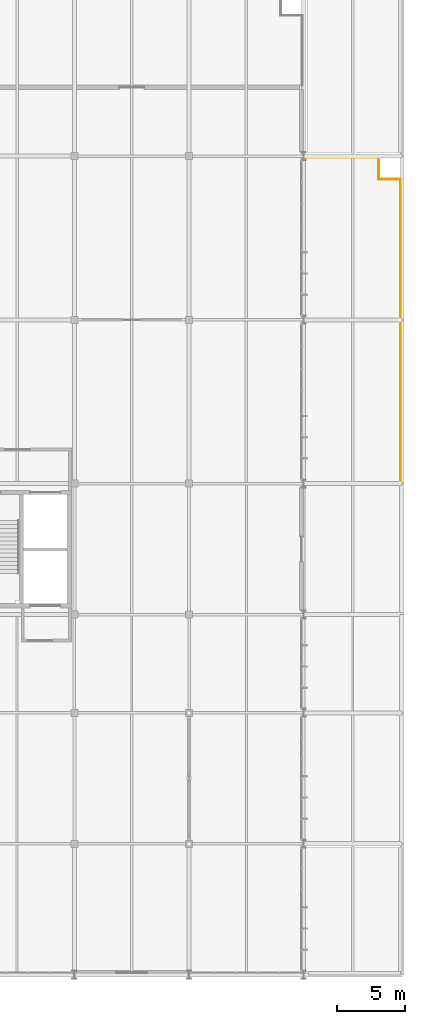
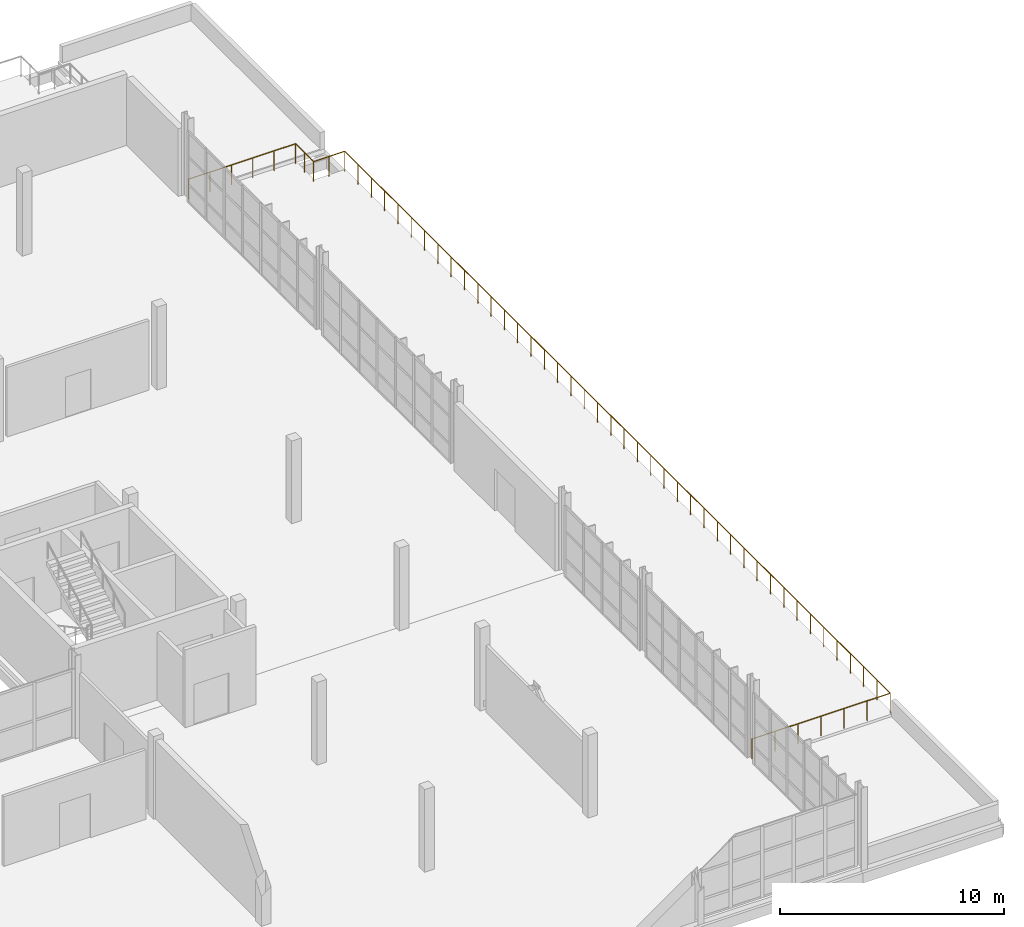
# One storey, part 108 of 109: 1 railing.
"""IFC4 building model written with IfcOpenShell, lengths in metres."""

from ifc_helpers import new_model, si_unit, direction, frame, origin, origin_2d, place, context, subcontext, project, spatial, circle, extrude, material, type_object, element, save


model = new_model("IFC4")

# Units and contexts
model_context = context("Model", 3, precision=1e-05, world=origin(), true_north=direction((0.0, 1.0)))
body_context = subcontext(model_context, "Body", "Model", "MODEL_VIEW")
ifc_project = project(units=[si_unit("LENGTHUNIT", "METRE"), si_unit("AREAUNIT", "SQUARE_METRE"), si_unit("VOLUMEUNIT", "CUBIC_METRE"), si_unit("PLANEANGLEUNIT", "RADIAN"), si_unit("MASSUNIT", "GRAM", prefix="KILO")], contexts=[model_context])

# Site, building, storey
site_placement = place(None, origin())
site = spatial("IfcSite", under=ifc_project, at=site_placement, CompositionType="ELEMENT")
building_placement = place(site_placement, origin())
building = spatial("IfcBuilding", under=site, at=building_placement, Name="Veltarok Museum of Natural Sciences", CompositionType="ELEMENT")
storey_placement = place(building_placement, frame((0.0, 0.0, 17.39990234375)))
storey = spatial("IfcBuildingStorey", under=building, at=storey_placement, Name="L03", CompositionType="ELEMENT", Elevation=17.39990234375)

# Railing
ifc_material = material(Name="Steel S355J2", Category="steel")
railing_type = type_object("IfcRailingType", Name="Outdoor Terrace Steel and Laminated Glass Guardrail 1100", PredefinedType="GUARDRAIL", material=ifc_material)
railing_placement = place(storey_placement, frame((157.580078125, 9.699951171875, 0.0)))
element("IfcRailing", 1, at=railing_placement, inside=storey, type_object=railing_type, Name="Terrace Guardrail TER-L03-E2", PredefinedType="GUARDRAIL", context=body_context, shape_type="SweptSolid", body=[
    extrude(circle(Radius=0.02490234375, at=origin_2d()), frame((0.0, 0.0, 1.0751953125), z_axis=(1.0, 0.0, 0.0), x_axis=(0.0, 1.0, 0.0)), (0.0, 0.0, 1.0), 7.119873046875),
    extrude(circle(Radius=0.02490234375, at=origin_2d()), frame((7.119873046875, 0.0, 1.0751953125), z_axis=(0.0, 1.0, 0.0), x_axis=(-1.0, 0.0, 0.0)), (0.0, 0.0, 1.0), 48.60009765625),
    extrude(circle(Radius=0.02490234375, at=origin_2d()), frame((7.119873046875, 48.60009765625, 1.0751953125), z_axis=(-1.0, 0.0, 0.0), x_axis=(0.0, -1.0, 0.0)), (0.0, 0.0, 1.0), 1.599853515625),
    extrude(circle(Radius=0.02490234375, at=origin_2d()), frame((5.52001953125, 48.60009765625, 1.0751953125), z_axis=(0.0, 1.0, 0.0), x_axis=(-1.0, 0.0, 0.0)), (0.0, 0.0, 1.0), 1.599853515625),
    extrude(circle(Radius=0.02490234375, at=origin_2d()), frame((5.52001953125, 50.199951171875, 1.0751953125), z_axis=(-1.0, 0.0, 0.0), x_axis=(0.0, -1.0, 0.0)), (0.0, 0.0, 1.0), 5.52001953125),
    extrude(circle(Radius=0.02099609375, at=origin_2d()), origin(), (0.0, 0.0, 1.0), 1.050048828125),
    extrude(circle(Radius=0.02099609375, at=origin_2d()), frame((1.1865234375, 0.0, 0.0)), (0.0, 0.0, 1.0), 1.050048828125),
    extrude(circle(Radius=0.02099609375, at=origin_2d()), frame((2.373291015625, 0.0, 0.0)), (0.0, 0.0, 1.0), 1.050048828125),
    extrude(circle(Radius=0.02099609375, at=origin_2d()), frame((3.56005859375, 0.0, 0.0)), (0.0, 0.0, 1.0), 1.050048828125),
    extrude(circle(Radius=0.02099609375, at=origin_2d()), frame((4.74658203125, 0.0, 0.0)), (0.0, 0.0, 1.0), 1.050048828125),
    extrude(circle(Radius=0.02099609375, at=origin_2d()), frame((5.93310546875, 0.0, 0.0)), (0.0, 0.0, 1.0), 1.050048828125),
    extrude(circle(Radius=0.02099609375, at=origin_2d()), frame((7.119873046875, 0.0, 0.0)), (0.0, 0.0, 1.0), 1.050048828125),
    extrude(circle(Radius=0.02099609375, at=origin_2d()), frame((7.119873046875, 1.185302734375, 0.0)), (0.0, 0.0, 1.0), 1.050048828125),
    extrude(circle(Radius=0.02099609375, at=origin_2d()), frame((7.119873046875, 2.370849609375, 0.0)), (0.0, 0.0, 1.0), 1.050048828125),
    extrude(circle(Radius=0.02099609375, at=origin_2d()), frame((7.119873046875, 3.55615234375, 0.0)), (0.0, 0.0, 1.0), 1.050048828125),
    extrude(circle(Radius=0.02099609375, at=origin_2d()), frame((7.119873046875, 4.741455078125, 0.0)), (0.0, 0.0, 1.0), 1.050048828125),
    extrude(circle(Radius=0.02099609375, at=origin_2d()), frame((7.119873046875, 5.9267578125, 0.0)), (0.0, 0.0, 1.0), 1.050048828125),
    extrude(circle(Radius=0.02099609375, at=origin_2d()), frame((7.119873046875, 7.1123046875, 0.0)), (0.0, 0.0, 1.0), 1.050048828125),
    extrude(circle(Radius=0.02099609375, at=origin_2d()), frame((7.119873046875, 8.297607421875, 0.0)), (0.0, 0.0, 1.0), 1.050048828125),
    extrude(circle(Radius=0.02099609375, at=origin_2d()), frame((7.119873046875, 9.48291015625, 0.0)), (0.0, 0.0, 1.0), 1.050048828125),
    extrude(circle(Radius=0.02099609375, at=origin_2d()), frame((7.119873046875, 10.668212890625, 0.0)), (0.0, 0.0, 1.0), 1.050048828125),
    extrude(circle(Radius=0.02099609375, at=origin_2d()), frame((7.119873046875, 11.853759765625, 0.0)), (0.0, 0.0, 1.0), 1.050048828125),
    extrude(circle(Radius=0.02099609375, at=origin_2d()), frame((7.119873046875, 13.0390625, 0.0)), (0.0, 0.0, 1.0), 1.050048828125),
    extrude(circle(Radius=0.02099609375, at=origin_2d()), frame((7.119873046875, 14.224365234375, 0.0)), (0.0, 0.0, 1.0), 1.050048828125),
    extrude(circle(Radius=0.02099609375, at=origin_2d()), frame((7.119873046875, 15.40966796875, 0.0)), (0.0, 0.0, 1.0), 1.050048828125),
    extrude(circle(Radius=0.02099609375, at=origin_2d()), frame((7.119873046875, 16.59521484375, 0.0)), (0.0, 0.0, 1.0), 1.050048828125),
    extrude(circle(Radius=0.02099609375, at=origin_2d()), frame((7.119873046875, 17.780517578125, 0.0)), (0.0, 0.0, 1.0), 1.050048828125),
    extrude(circle(Radius=0.02099609375, at=origin_2d()), frame((7.119873046875, 18.9658203125, 0.0)), (0.0, 0.0, 1.0), 1.050048828125),
    extrude(circle(Radius=0.02099609375, at=origin_2d()), frame((7.119873046875, 20.1513671875, 0.0)), (0.0, 0.0, 1.0), 1.050048828125),
    extrude(circle(Radius=0.02099609375, at=origin_2d()), frame((7.119873046875, 21.336669921875, 0.0)), (0.0, 0.0, 1.0), 1.050048828125),
    extrude(circle(Radius=0.02099609375, at=origin_2d()), frame((7.119873046875, 22.52197265625, 0.0)), (0.0, 0.0, 1.0), 1.050048828125),
    extrude(circle(Radius=0.02099609375, at=origin_2d()), frame((7.119873046875, 23.707275390625, 0.0)), (0.0, 0.0, 1.0), 1.050048828125),
    extrude(circle(Radius=0.02099609375, at=origin_2d()), frame((7.119873046875, 24.892822265625, 0.0)), (0.0, 0.0, 1.0), 1.050048828125),
    extrude(circle(Radius=0.02099609375, at=origin_2d()), frame((7.119873046875, 26.078125, 0.0)), (0.0, 0.0, 1.0), 1.050048828125),
    extrude(circle(Radius=0.02099609375, at=origin_2d()), frame((7.119873046875, 27.263427734375, 0.0)), (0.0, 0.0, 1.0), 1.050048828125),
    extrude(circle(Radius=0.02099609375, at=origin_2d()), frame((7.119873046875, 28.44873046875, 0.0)), (0.0, 0.0, 1.0), 1.050048828125),
    extrude(circle(Radius=0.02099609375, at=origin_2d()), frame((7.119873046875, 29.63427734375, 0.0)), (0.0, 0.0, 1.0), 1.050048828125),
    extrude(circle(Radius=0.02099609375, at=origin_2d()), frame((7.119873046875, 30.819580078125, 0.0)), (0.0, 0.0, 1.0), 1.050048828125),
    extrude(circle(Radius=0.02099609375, at=origin_2d()), frame((7.119873046875, 32.0048828125, 0.0)), (0.0, 0.0, 1.0), 1.050048828125),
    extrude(circle(Radius=0.02099609375, at=origin_2d()), frame((7.119873046875, 33.1904296875, 0.0)), (0.0, 0.0, 1.0), 1.050048828125),
    extrude(circle(Radius=0.02099609375, at=origin_2d()), frame((7.119873046875, 34.375732421875, 0.0)), (0.0, 0.0, 1.0), 1.050048828125),
    extrude(circle(Radius=0.02099609375, at=origin_2d()), frame((7.119873046875, 35.56103515625, 0.0)), (0.0, 0.0, 1.0), 1.050048828125),
    extrude(circle(Radius=0.02099609375, at=origin_2d()), frame((7.119873046875, 36.746337890625, 0.0)), (0.0, 0.0, 1.0), 1.050048828125),
    extrude(circle(Radius=0.02099609375, at=origin_2d()), frame((7.119873046875, 37.931884765625, 0.0)), (0.0, 0.0, 1.0), 1.050048828125),
    extrude(circle(Radius=0.02099609375, at=origin_2d()), frame((7.119873046875, 39.1171875, 0.0)), (0.0, 0.0, 1.0), 1.050048828125),
    extrude(circle(Radius=0.02099609375, at=origin_2d()), frame((7.119873046875, 40.302490234375, 0.0)), (0.0, 0.0, 1.0), 1.050048828125),
    extrude(circle(Radius=0.02099609375, at=origin_2d()), frame((7.119873046875, 41.48779296875, 0.0)), (0.0, 0.0, 1.0), 1.050048828125),
    extrude(circle(Radius=0.02099609375, at=origin_2d()), frame((7.119873046875, 42.67333984375, 0.0)), (0.0, 0.0, 1.0), 1.050048828125),
    extrude(circle(Radius=0.02099609375, at=origin_2d()), frame((7.119873046875, 43.858642578125, 0.0)), (0.0, 0.0, 1.0), 1.050048828125),
    extrude(circle(Radius=0.02099609375, at=origin_2d()), frame((7.119873046875, 45.0439453125, 0.0)), (0.0, 0.0, 1.0), 1.050048828125),
    extrude(circle(Radius=0.02099609375, at=origin_2d()), frame((7.119873046875, 46.229248046875, 0.0)), (0.0, 0.0, 1.0), 1.050048828125),
    extrude(circle(Radius=0.02099609375, at=origin_2d()), frame((7.119873046875, 47.414794921875, 0.0)), (0.0, 0.0, 1.0), 1.050048828125),
    extrude(circle(Radius=0.02099609375, at=origin_2d()), frame((7.119873046875, 48.60009765625, 0.0)), (0.0, 0.0, 1.0), 1.050048828125),
    extrude(circle(Radius=0.02099609375, at=origin_2d()), frame((6.31982421875, 48.60009765625, 0.0)), (0.0, 0.0, 1.0), 1.050048828125),
    extrude(circle(Radius=0.02099609375, at=origin_2d()), frame((5.52001953125, 48.60009765625, 0.0)), (0.0, 0.0, 1.0), 1.050048828125),
    extrude(circle(Radius=0.02099609375, at=origin_2d()), frame((5.52001953125, 49.39990234375, 0.0)), (0.0, 0.0, 1.0), 1.050048828125),
    extrude(circle(Radius=0.02099609375, at=origin_2d()), frame((5.52001953125, 50.199951171875, 0.0)), (0.0, 0.0, 1.0), 1.050048828125),
    extrude(circle(Radius=0.02099609375, at=origin_2d()), frame((4.416015625, 50.199951171875, 0.0)), (0.0, 0.0, 1.0), 1.050048828125),
    extrude(circle(Radius=0.02099609375, at=origin_2d()), frame((3.31201171875, 50.199951171875, 0.0)), (0.0, 0.0, 1.0), 1.050048828125),
    extrude(circle(Radius=0.02099609375, at=origin_2d()), frame((2.2080078125, 50.199951171875, 0.0)), (0.0, 0.0, 1.0), 1.050048828125),
    extrude(circle(Radius=0.02099609375, at=origin_2d()), frame((1.10400390625, 50.199951171875, 0.0)), (0.0, 0.0, 1.0), 1.050048828125),
    extrude(circle(Radius=0.02099609375, at=origin_2d()), frame((0.0, 50.199951171875, 0.0)), (0.0, 0.0, 1.0), 1.050048828125),
])

save(model, "model.ifc")
